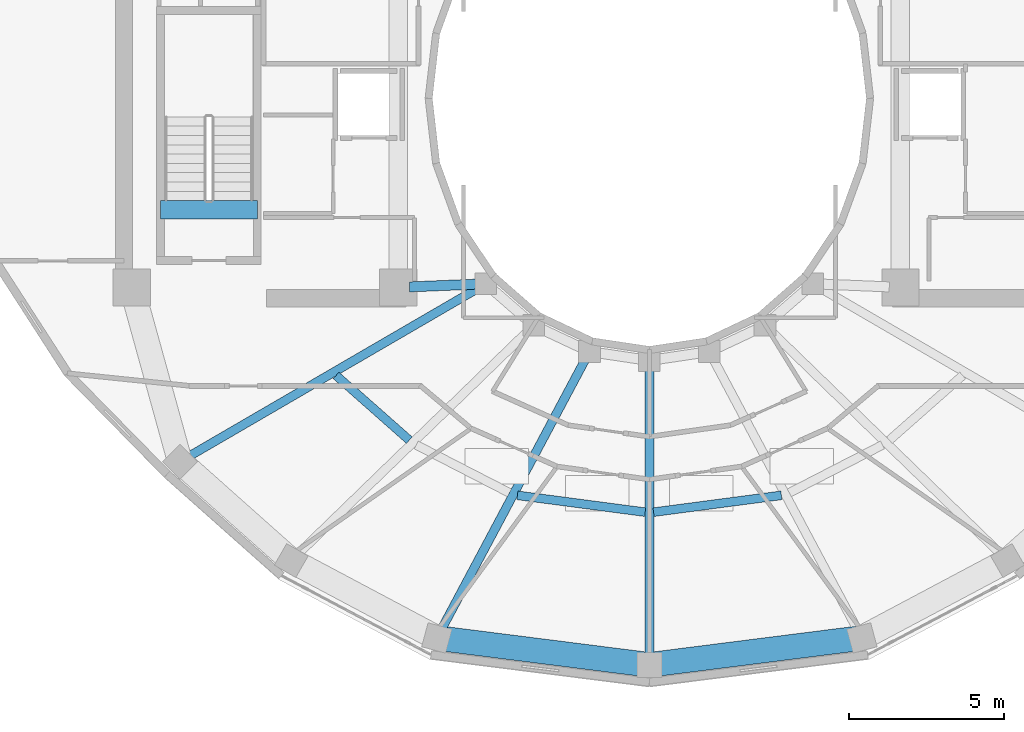
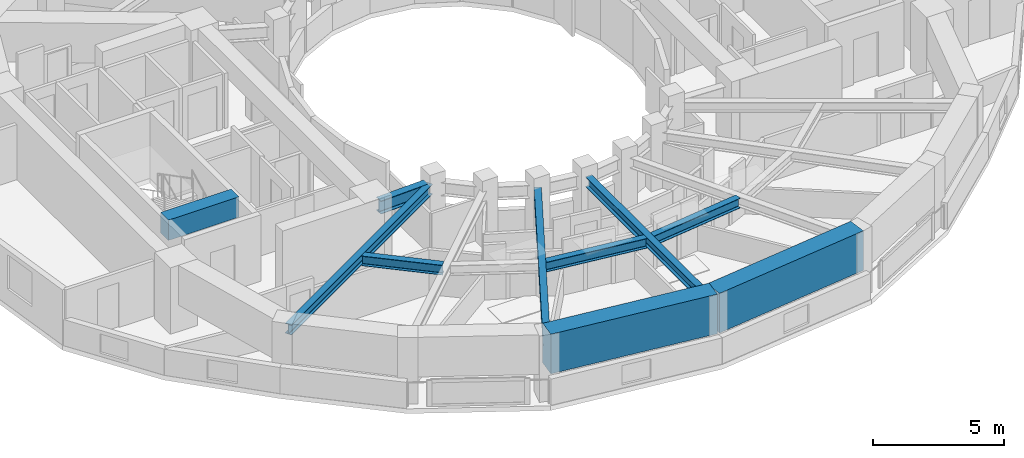
# One storey, part 3 of 17: 10 beams.
"""IFC4 building model written with IfcOpenShell, lengths in metres."""

import ifcopenshell
import ifcopenshell.guid

model = None  # the IFC model being written
_history = None  # IfcOwnerHistory: only IFC2X3 demands one
_inside = {}  # id of a spatial element -> (the spatial element, [elements in it])
_under = {}  # id of a project, library or spatial element -> (it, [spatial elements below it])
_declared = {}  # id of a project -> (the project, [libraries it declares])
_typed = {}  # id of a type object -> (the type object, [elements of that type])
_made_of = {}  # id of a material, layer set ... -> (it, [elements and type objects made of it])


def new_model(schema):
    """Start an empty IFC model of exactly this schema.

    Asked for "IFC4X3", IfcOpenShell would pick the latest addendum, in which some entities
    have other attributes; the version numbers below select the first issue.
    IFC2X3 requires an IfcOwnerHistory on every rooted entity: one is made here for all.
    """
    global model, _history
    if schema == "IFC4X3":
        model = ifcopenshell.file(schema_version=(4, 3, 0, 0))
    else:
        model = ifcopenshell.file(schema=schema)
    _inside.clear()
    _under.clear()
    _declared.clear()
    _typed.clear()
    _made_of.clear()
    _history = None
    if model.schema == "IFC2X3":
        org = make("IfcOrganization", Name="unknown")
        user = make(
            "IfcPersonAndOrganization",
            ThePerson=make("IfcPerson", FamilyName="unknown"),
            TheOrganization=org,
        )
        app = make(
            "IfcApplication",
            ApplicationDeveloper=org,
            Version="unknown",
            ApplicationFullName="unknown",
            ApplicationIdentifier="unknown",
        )
        _history = make(
            "IfcOwnerHistory",
            OwningUser=user,
            OwningApplication=app,
            ChangeAction="ADDED",
            CreationDate=0,
        )
    return model


def make(cls, **values):
    """One entity of the class cls with the attributes given. An attribute that is None is left unset."""
    return model.create_entity(
        cls, **{name: value for name, value in values.items() if value is not None}
    )


def rooted(cls, **values):
    """An entity with a GlobalId (a new one), such as an element, a storey or a relation."""
    return make(cls, GlobalId=ifcopenshell.guid.new(), OwnerHistory=_history, **values)


def si_unit(unit_type, name, prefix=None):
    """IfcSIUnit, for example si_unit("LENGTHUNIT", "METRE", prefix="MILLI")."""
    return make("IfcSIUnit", UnitType=unit_type, Prefix=prefix, Name=name)


def assignment(units):
    """IfcUnitAssignment: the units of a project."""
    return None if units is None else make("IfcUnitAssignment", Units=units)


def point(xyz):
    """IfcCartesianPoint."""
    return None if xyz is None else make("IfcCartesianPoint", Coordinates=xyz)


def direction(xyz):
    """IfcDirection."""
    return None if xyz is None else make("IfcDirection", DirectionRatios=xyz)


def frame(location, z_axis=None, x_axis=None):
    """IfcAxis2Placement3D, a coordinate frame: its origin and axes. An axis left out is left unset."""
    return make(
        "IfcAxis2Placement3D",
        Location=point(location),
        Axis=direction(z_axis),
        RefDirection=direction(x_axis),
    )


def frame_2d(location, x_axis=None):
    """IfcAxis2Placement2D, a coordinate frame in the plane: its origin and x axis."""
    return make(
        "IfcAxis2Placement2D", Location=point(location), RefDirection=direction(x_axis)
    )


def origin():
    """The frame at (0, 0, 0) with its axes left unset."""
    return frame((0.0, 0.0, 0.0))


def origin_2d():
    """The frame at (0, 0) in the plane with its x axis left unset."""
    return frame_2d((0.0, 0.0))


def place(relative_to, where):
    """IfcLocalPlacement: puts the frame where relative to a parent placement (None: the world)."""
    return make(
        "IfcLocalPlacement", PlacementRelTo=relative_to, RelativePlacement=where
    )


def context(
    kind, dimensions, precision=None, world=None, true_north=None, identifier=None
):
    """IfcGeometricRepresentationContext, for example the 3D "Model" context."""
    return make(
        "IfcGeometricRepresentationContext",
        ContextIdentifier=identifier,
        ContextType=kind,
        CoordinateSpaceDimension=dimensions,
        Precision=precision,
        WorldCoordinateSystem=world,
        TrueNorth=true_north,
    )


def subcontext(parent, identifier, kind, view, scale=None):
    """IfcGeometricRepresentationSubContext, for example "Body" below "Model"."""
    return make(
        "IfcGeometricRepresentationSubContext",
        ContextIdentifier=identifier,
        ContextType=kind,
        ParentContext=parent,
        TargetScale=scale,
        TargetView=view,
    )


def project(units=None, contexts=None):
    """IfcProject with its units and contexts."""
    return rooted(
        "IfcProject",
        Name="project",
        RepresentationContexts=contexts,
        UnitsInContext=assignment(units),
    )


def spatial(cls, under=None, at=None, **own):
    """A site, building, storey or space (cls), placed at a placement, below another one or the project."""
    s = rooted(cls, ObjectPlacement=at, **own)
    if under is not None:
        _under.setdefault(under.id(), (under, []))[1].append(s)
    return s


def profile(cls, at=None, kind="AREA", **sizes):
    """A parametric profile (cls). Its sizes go by their IFC names, for example OverallWidth=200.0."""
    return make(cls, ProfileType=kind, Position=at, **sizes)


def rectangle(**sizes):
    """IfcRectangleProfileDef."""
    return profile("IfcRectangleProfileDef", **sizes)


def i_section(**sizes):
    """IfcIShapeProfileDef."""
    return profile("IfcIShapeProfileDef", **sizes)


def extrude(swept, where, along, depth):
    """IfcExtrudedAreaSolid: the profile swept, set in the frame where, extruded along a direction by depth."""
    return make(
        "IfcExtrudedAreaSolid",
        SweptArea=swept,
        Position=where,
        ExtrudedDirection=direction(along),
        Depth=depth,
    )


def shape(context_of_items, identifier, shape_type, items):
    """IfcShapeRepresentation: the items that make up one representation, for example the "Body"."""
    return make(
        "IfcShapeRepresentation",
        ContextOfItems=context_of_items,
        RepresentationIdentifier=identifier,
        RepresentationType=shape_type,
        Items=items,
    )


def material(Name=None, Category=None):
    """IfcMaterial."""
    return make("IfcMaterial", Name=Name, Category=Category)


def material_profile(
    of_material, cross_section, Name=None, Category=None, Priority=None
):
    """IfcMaterialProfile: a cross section and its material."""
    return make(
        "IfcMaterialProfile",
        Name=Name,
        Material=of_material,
        Profile=cross_section,
        Priority=Priority,
        Category=Category,
    )


def profile_set(profiles, Name=None, composite=None):
    """IfcMaterialProfileSet."""
    return make(
        "IfcMaterialProfileSet",
        Name=Name,
        MaterialProfiles=profiles,
        CompositeProfile=composite,
    )


def made_of(thing, what):
    """Note that an element or type object is made of a material, layer set ...; save() writes the relation."""
    if what is not None:
        _made_of.setdefault(what.id(), (what, []))[1].append(thing)
    return thing


def type_object(cls, material=None, **own):
    """A type object (cls), such as IfcWallType, which elements share."""
    return made_of(rooted(cls, **own), material)


def element(
    cls,
    number,
    at=None,
    inside=None,
    cuts=None,
    type_object=None,
    material=None,
    context=None,
    identifier="Body",
    shape_type=None,
    held_by="IfcProductDefinitionShape",
    body=None,
    shapes=None,
    **own,
):
    """One element of the class cls, such as IfcWall. Its Tag is "e" and its number.

    at: its placement. inside: the storey or other place that contains it. cuts: it is an
    opening in that element (IfcRelVoidsElement). A single representation is given by context,
    identifier, shape_type and body (its items); several are given by shapes. held_by: the class
    of the entity that holds the representations. save() writes the other relations.
    """
    e = rooted(cls, Tag="e%d" % number, ObjectPlacement=at, **own)
    if body is not None:
        shapes = [shape(context, identifier, shape_type, body)]
    if shapes is not None:
        e.Representation = make(held_by, Representations=shapes)
    if inside is not None:
        _inside.setdefault(inside.id(), (inside, []))[1].append(e)
    if cuts is not None:
        rooted(
            "IfcRelVoidsElement", RelatingBuildingElement=cuts, RelatedOpeningElement=e
        )
    if type_object is not None:
        _typed.setdefault(type_object.id(), (type_object, []))[1].append(e)
    return made_of(e, material)


def aggregate(whole, parts):
    """IfcRelAggregates: a whole, such as a stair, and the parts it consists of."""
    return rooted("IfcRelAggregates", RelatingObject=whole, RelatedObjects=parts)


def save(model, path):
    """Write the relations noted so far, then the file.

    IfcRelAggregates (storeys below a building ...), IfcRelContainedInSpatialStructure (elements
    in a storey), IfcRelDefinesByType, IfcRelAssociatesMaterial and IfcRelDeclares: one each for
    every whole, place, type object, material and project.
    """
    for whole, parts in _under.values():
        aggregate(whole, parts)
    for where, things in _inside.values():
        rooted(
            "IfcRelContainedInSpatialStructure",
            RelatedElements=things,
            RelatingStructure=where,
        )
    for kind, things in _typed.values():
        rooted("IfcRelDefinesByType", RelatedObjects=things, RelatingType=kind)
    for what, things in _made_of.values():
        rooted("IfcRelAssociatesMaterial", RelatedObjects=things, RelatingMaterial=what)
    for by, libraries in _declared.values():
        rooted("IfcRelDeclares", RelatingContext=by, RelatedDefinitions=libraries)
    model.write(path)


model = new_model("IFC4")

# Units and contexts
model_context = context("Model", 3, precision=1e-05, world=origin(), true_north=direction((0.0, 1.0)))
body_context = subcontext(model_context, "Body", "Model", "MODEL_VIEW")
ifc_project = project(units=[si_unit("LENGTHUNIT", "METRE"), si_unit("AREAUNIT", "SQUARE_METRE"), si_unit("VOLUMEUNIT", "CUBIC_METRE"), si_unit("PLANEANGLEUNIT", "RADIAN"), si_unit("MASSUNIT", "GRAM", prefix="KILO")], contexts=[model_context])

# Site, building, storey
site_placement = place(None, origin())
site = spatial("IfcSite", under=ifc_project, at=site_placement, CompositionType="ELEMENT")
building_placement = place(site_placement, origin())
building = spatial("IfcBuilding", under=site, at=building_placement, Name="Solvane Sanctuary Tower", CompositionType="ELEMENT")
storey_placement = place(building_placement, frame((0.0, 0.0, 235.699951171875)))
storey = spatial("IfcBuildingStorey", under=building, at=storey_placement, Name="L72", CompositionType="ELEMENT", Elevation=235.699951171875)

# Beams
ifc_material_1 = material(Name="Concrete C70/85", Category="concrete")
ifc_material_profile_1 = material_profile(ifc_material_1, rectangle(XDim=0.60009765625, YDim=0.949951171875, at=origin_2d()), Name="RC600X950")
ifc_profile_set_1 = profile_set([ifc_material_profile_1], Name="Concrete C70/85")
beam_type_1 = type_object("IfcBeamType", Name="Beam B-COUPLE RC600X950", PredefinedType="LINTEL", material=ifc_profile_set_1)
beam_1_placement = place(storey_placement, frame((16.22998046875, 19.399169921875, 2.625), z_axis=(1.0, 0.0, 0.0), x_axis=(0.0, 1.0, 0.0)))
element("IfcBeam", 1, at=beam_1_placement, inside=storey, type_object=beam_type_1, Name="L72 ST-1 Stair Floor Landing Trimmer", PredefinedType="LINTEL", context=body_context, shape_type="SweptSolid", body=[
    extrude(rectangle(XDim=0.60009765625, YDim=0.949951171875, at=origin_2d()), origin(), (0.0, 0.0, 1.0), 3.1201171875),
])
ifc_material_2 = material(Name="Steel ASTM A992 Grade 50", Category="steel")
ifc_material_profile_2 = material_profile(ifc_material_2, i_section(OverallWidth=0.282958984375, OverallDepth=0.471923828125, WebThickness=0.013671875, FlangeThickness=0.022216796875, FilletRadius=0.013916015625, at=origin_2d()), Name="W18X97")
ifc_profile_set_2 = profile_set([ifc_material_profile_2], Name="Steel ASTM A992 Grade 50")
beam_type_2 = type_object("IfcBeamType", Name="Beam B-RAD-Z4 W18X97", PredefinedType="JOIST", material=ifc_profile_set_2)
beam_2_placement = place(storey_placement, frame((26.48291015625, 16.877197265625, 2.362060546875), z_axis=(-0.864489234729, -0.502651333469, 0.0), x_axis=(0.502651333469, -0.864489234729, 0.0)))
element("IfcBeam", 2, at=beam_2_placement, inside=storey, type_object=beam_type_2, Name="L72 Radial Composite Floor Beam 08", PredefinedType="JOIST", context=body_context, shape_type="SweptSolid", body=[
    extrude(i_section(OverallWidth=0.282958984375, OverallDepth=0.471923828125, WebThickness=0.013671875, FlangeThickness=0.022216796875, FilletRadius=0.013916015625, at=origin_2d()), origin(), (0.0, 0.0, 1.0), 10.85693359375),
])
beam_3_placement = place(storey_placement, frame((29.9375, 14.581298828125, 2.362060546875), z_axis=(-0.470395154587, -0.882455890422, 0.0), x_axis=(0.882455890422, -0.470395154587, 0.0)))
element("IfcBeam", 3, at=beam_3_placement, inside=storey, type_object=beam_type_2, Name="L72 Radial Composite Floor Beam 10", PredefinedType="JOIST", context=body_context, shape_type="SweptSolid", body=[
    extrude(i_section(OverallWidth=0.282958984375, OverallDepth=0.471923828125, WebThickness=0.013671875, FlangeThickness=0.022216796875, FilletRadius=0.013916015625, at=origin_2d()), origin(), (0.0, 0.0, 1.0), 9.91064453125),
])
beam_4_placement = place(storey_placement, frame((32.0, 14.260009765625, 2.362060546875), z_axis=(0.0, -1.0, 0.0), x_axis=(1.0, 0.0, 0.0)))
element("IfcBeam", 4, at=beam_4_placement, inside=storey, type_object=beam_type_2, Name="L72 Radial Composite Floor Beam 11", PredefinedType="JOIST", context=body_context, shape_type="SweptSolid", body=[
    extrude(i_section(OverallWidth=0.282958984375, OverallDepth=0.471923828125, WebThickness=0.013671875, FlangeThickness=0.022216796875, FilletRadius=0.013916015625, at=origin_2d()), origin(), (0.0, 0.0, 1.0), 9.260009765625),
])
ifc_material_profile_3 = material_profile(ifc_material_2, i_section(OverallWidth=0.324951171875, OverallDepth=0.615966796875, WebThickness=0.013916015625, FlangeThickness=0.021484375, FilletRadius=0.01611328125, at=origin_2d()), Name="W24X117")
ifc_profile_set_3 = profile_set([ifc_material_profile_3], Name="Steel ASTM A992 Grade 50")
beam_type_3 = type_object("IfcBeamType", Name="Beam B-RING-IN2 W24X117", PredefinedType="BEAM", material=ifc_profile_set_3)
beam_5_placement = place(storey_placement, frame((24.259765625, 16.9150390625, 2.2900390625), z_axis=(0.999129127803, 0.041725124022, 0.0), x_axis=(-0.041725124022, 0.999129127803, 0.0)))
element("IfcBeam", 5, at=beam_5_placement, inside=storey, type_object=beam_type_3, Name="L72 Inner Light-Well Ring Beam CW2-IC08", PredefinedType="BEAM", context=body_context, shape_type="SweptSolid", body=[
    extrude(i_section(OverallWidth=0.324951171875, OverallDepth=0.615966796875, WebThickness=0.013916015625, FlangeThickness=0.021484375, FilletRadius=0.01611328125, at=origin_2d()), origin(), (0.0, 0.0, 1.0), 2.1474609375),
])
ifc_material_profile_4 = material_profile(ifc_material_2, i_section(OverallWidth=0.280029296875, OverallDepth=0.462890625, WebThickness=0.0107421875, FlangeThickness=0.017333984375, FilletRadius=0.013916015625, at=origin_2d()), Name="W18X76")
ifc_profile_set_4 = profile_set([ifc_material_profile_4], Name="Steel ASTM A992 Grade 50")
beam_type_4 = type_object("IfcBeamType", Name="Beam B-SEC-JOIST W18X76", PredefinedType="JOIST", material=ifc_profile_set_4)
beam_6_placement = place(storey_placement, frame((21.892333984375, 14.05810546875, 2.366455078125), z_axis=(0.749354102876, -0.662169486236, 0.0), x_axis=(0.662169486236, 0.749354102876, 0.0)))
element("IfcBeam", 6, at=beam_6_placement, inside=storey, type_object=beam_type_4, Name="L72 Secondary Circumferential Joist 08-09", PredefinedType="JOIST", context=body_context, shape_type="SweptSolid", body=[
    extrude(i_section(OverallWidth=0.280029296875, OverallDepth=0.462890625, WebThickness=0.0107421875, FlangeThickness=0.017333984375, FilletRadius=0.013916015625, at=origin_2d()), origin(), (0.0, 0.0, 1.0), 3.153076171875),
])
for number, where, z_axis, x_axis, name in (
    (7, (27.74169921875, 10.190673828125, 2.366455078125), (0.991439902559, -0.130563852634, 0.0), (0.130563852634, 0.991439902559, 0.0), "L72 Secondary Circumferential Joist 10-11"),
    (8, (32.13525390625, 9.647705078125, 2.366455078125), (0.991439902559, 0.130563852634, 0.0), (-0.130563852634, 0.991439902559, 0.0), "L72 Secondary Circumferential Joist 11-12"),
):
    element("IfcBeam", number, at=place(storey_placement, frame(where, z_axis=z_axis, x_axis=x_axis)), inside=storey, type_object=beam_type_4, Name=name, PredefinedType="JOIST", context=body_context, shape_type="SweptSolid", body=[
        extrude(i_section(OverallWidth=0.280029296875, OverallDepth=0.462890625, WebThickness=0.0107421875, FlangeThickness=0.017333984375, FilletRadius=0.013916015625, at=origin_2d()), origin(), (0.0, 0.0, 1.0), 4.15869140625),
    ])
ifc_material_profile_5 = material_profile(ifc_material_1, rectangle(XDim=0.800048828125, YDim=1.85009765625, at=origin_2d()), Name="RC800X1850")
ifc_profile_set_5 = profile_set([ifc_material_profile_5], Name="Concrete C70/85")
beam_type_5 = type_object("IfcBeamType", Name="Beam B-XFER-BLK RC800X1850", PredefinedType="BEAM", material=ifc_profile_set_5)
for number, where, z_axis, x_axis, name in (
    (9, (25.143798828125, 5.588623046875, 2.175048828125), (0.992069427321, -0.125691095054, 0.0), (0.125691095054, 0.992069427321, 0.0), "L72 Perimeter Step Transfer Ring NTC10-NTC11"),
    (10, (32.0, 4.719970703125, 2.175048828125), (0.992069427321, 0.125691095054, 0.0), (-0.125691095054, 0.992069427321, 0.0), "L72 Perimeter Step Transfer Ring NTC11-NTC12"),
):
    element("IfcBeam", number, at=place(storey_placement, frame(where, z_axis=z_axis, x_axis=x_axis)), inside=storey, type_object=beam_type_5, Name=name, PredefinedType="BEAM", context=body_context, shape_type="SweptSolid", body=[
        extrude(rectangle(XDim=0.800048828125, YDim=1.85009765625, at=origin_2d()), origin(), (0.0, 0.0, 1.0), 6.910888671875),
    ])

save(model, "model.ifc")
